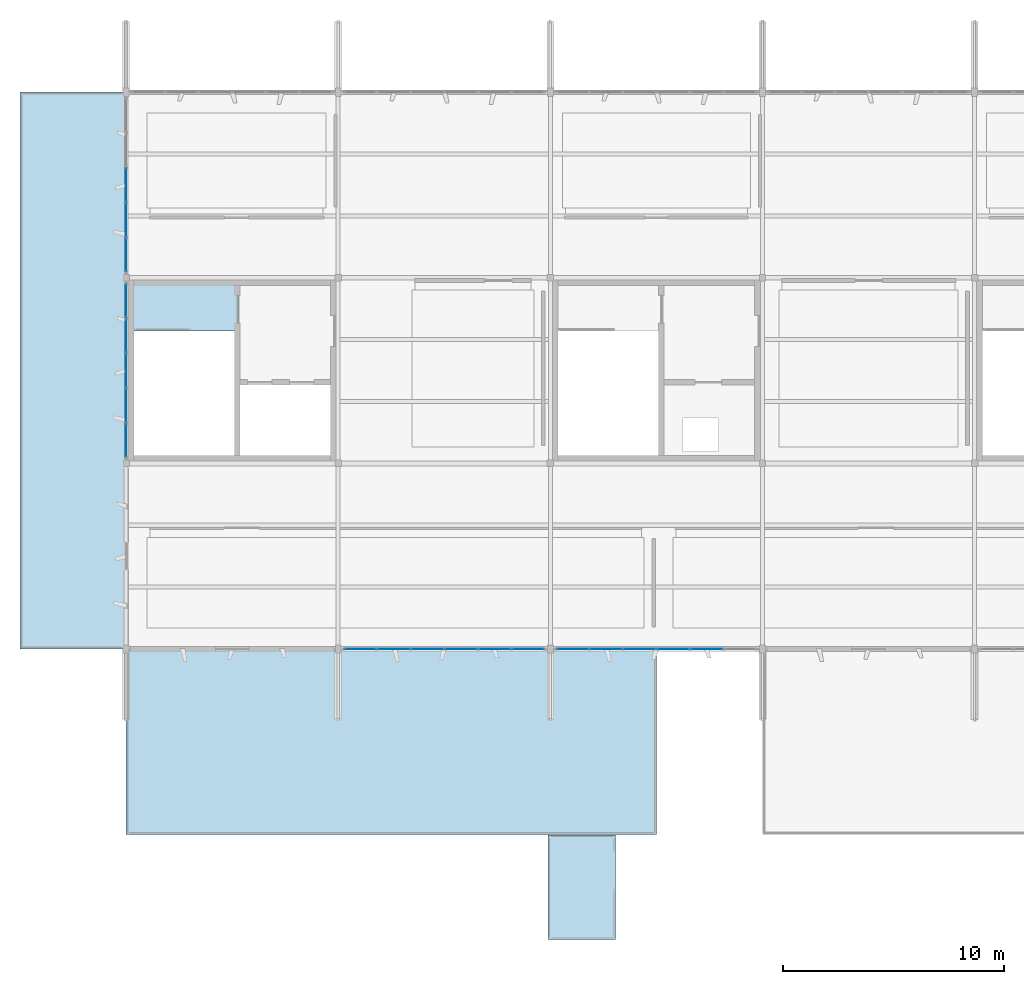
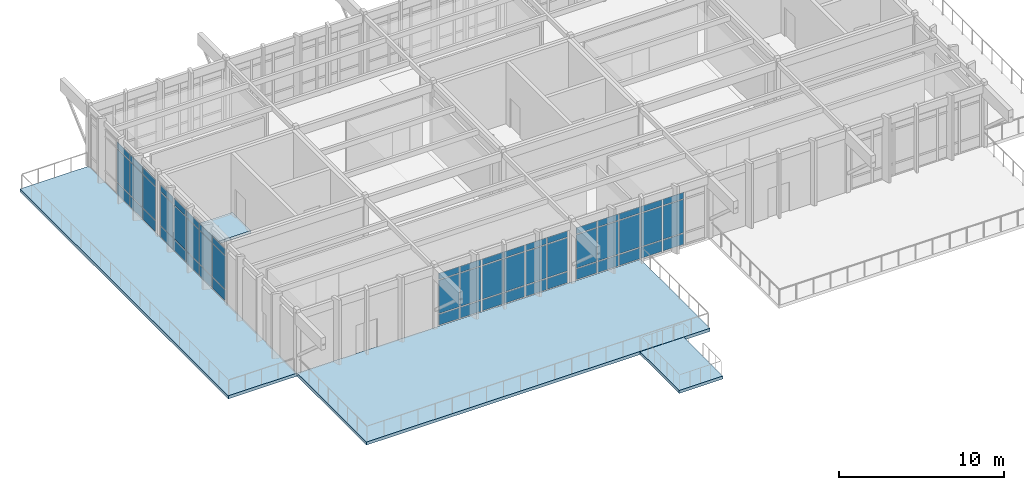
# One storey, part 12 of 19: 57 plates, 4 slabs, 4 elements without a shape of their own.
"""IFC4 building model written with IfcOpenShell, lengths in metres."""

from ifc_helpers import new_model, si_unit, direction, frame, origin, origin_2d, place, context, subcontext, project, spatial, polyline, rectangle, outline, extrude, material, layer, layer_set, type_object, element, aggregate, save


model = new_model("IFC4")

# Units and contexts
model_context = context("Model", 3, precision=1e-05, world=origin(), true_north=direction((0.0, 1.0)))
body_context = subcontext(model_context, "Body", "Model", "MODEL_VIEW")
ifc_project = project(units=[si_unit("LENGTHUNIT", "METRE"), si_unit("AREAUNIT", "SQUARE_METRE"), si_unit("VOLUMEUNIT", "CUBIC_METRE"), si_unit("PLANEANGLEUNIT", "RADIAN"), si_unit("MASSUNIT", "GRAM", prefix="KILO")], contexts=[model_context])

# Site, building, storey
site_placement = place(None, origin())
site = spatial("IfcSite", under=ifc_project, at=site_placement, CompositionType="ELEMENT")
building_placement = place(site_placement, origin())
building = spatial("IfcBuilding", under=site, at=building_placement, Name="Kolvemor Railside Polytechnic", CompositionType="ELEMENT")
storey_placement = place(building_placement, frame((0.0, 0.0, 27.0)))
storey = spatial("IfcBuildingStorey", under=building, at=storey_placement, Name="L06", CompositionType="ELEMENT", Elevation=27.0)

# Curtain wall, plates
ifc_material_1 = material(Name="Anodised marine aluminium and laminated low-E glass", Category="aluminium")
ifc_layer_1 = layer(ifc_material_1, 0.179931640625, Name="CW-STICK-LIB")
ifc_layer_set_1 = layer_set([ifc_layer_1], Name="Anodised marine aluminium and laminated low-E glass")
curtain_wall_type = type_object("IfcCurtainWallType", Name="CW-STICK-LIB", PredefinedType="USERDEFINED", material=ifc_layer_set_1)
curtain_wall_1_placement = place(storey_placement, origin())
curtain_wall_1 = element("IfcCurtainWall", 1, at=curtain_wall_1_placement, inside=storey, type_object=curtain_wall_type, Name="Curtain Wall L06-142", ObjectType="STICK GLAZED SCREEN", PredefinedType="USERDEFINED")
ifc_material_2 = material(Name="Hurricane-laminated solar-control low-E glass", Category="glass")
ifc_layer_2 = layer(ifc_material_2, 0.02587890625, Name="CWP-GLZ-03")
ifc_layer_set_2 = layer_set([ifc_layer_2], Name="Hurricane-laminated solar-control low-E glass")
plate_type_1 = type_object("IfcPlateType", Name="CWP-GLZ-03", PredefinedType="CURTAIN_PANEL", material=ifc_layer_set_2)
plate_1_placement = place(storey_placement, frame((77.816162109375, 13.199951171875, 0.06494140625), z_axis=(0.0, 0.0, 1.0), x_axis=(1.0, 0.0, 0.0)))
plate_1 = element("IfcPlate", 2, at=plate_1_placement, type_object=plate_type_1, Name="CW-LIB panel 1.1", PredefinedType="CURTAIN_PANEL", context=body_context, shape_type="SweptSolid", body=[
    extrude(rectangle(XDim=1.422607421875, YDim=0.02587890625, at=origin_2d()), origin(), (0.0, 0.0, 1.0), 0.802490234375),
])
plate_2_placement = place(storey_placement, frame((77.816162109375, 13.199951171875, 0.9326171875), z_axis=(0.0, 0.0, 1.0), x_axis=(1.0, 0.0, 0.0)))
plate_2 = element("IfcPlate", 3, at=plate_2_placement, type_object=plate_type_1, Name="CW-LIB panel 1.2", PredefinedType="CURTAIN_PANEL", context=body_context, shape_type="SweptSolid", body=[
    extrude(rectangle(XDim=1.422607421875, YDim=0.02587890625, at=origin_2d()), origin(), (0.0, 0.0, 1.0), 2.449951171875),
])
plate_3_placement = place(storey_placement, frame((77.816162109375, 13.199951171875, 3.44775390625), z_axis=(0.0, 0.0, 1.0), x_axis=(1.0, 0.0, 0.0)))
plate_3 = element("IfcPlate", 4, at=plate_3_placement, type_object=plate_type_1, Name="CW-LIB panel 1.3", PredefinedType="CURTAIN_PANEL", context=body_context, shape_type="SweptSolid", body=[
    extrude(rectangle(XDim=1.422607421875, YDim=0.02587890625, at=origin_2d()), origin(), (0.0, 0.0, 1.0), 0.452392578125),
])
plate_4_placement = place(storey_placement, frame((79.320068359375, 13.199951171875, 0.06494140625), z_axis=(0.0, 0.0, 1.0), x_axis=(1.0, 0.0, 0.0)))
plate_4 = element("IfcPlate", 5, at=plate_4_placement, type_object=plate_type_1, Name="CW-LIB panel 2.1", PredefinedType="CURTAIN_PANEL", context=body_context, shape_type="SweptSolid", body=[
    extrude(rectangle(XDim=1.455078125, YDim=0.02587890625, at=origin_2d()), origin(), (0.0, 0.0, 1.0), 0.802490234375),
])
plate_5_placement = place(storey_placement, frame((79.320068359375, 13.199951171875, 0.9326171875), z_axis=(0.0, 0.0, 1.0), x_axis=(1.0, 0.0, 0.0)))
plate_5 = element("IfcPlate", 6, at=plate_5_placement, type_object=plate_type_1, Name="CW-LIB panel 2.2", PredefinedType="CURTAIN_PANEL", context=body_context, shape_type="SweptSolid", body=[
    extrude(rectangle(XDim=1.455078125, YDim=0.02587890625, at=origin_2d()), origin(), (0.0, 0.0, 1.0), 2.449951171875),
])
plate_6_placement = place(storey_placement, frame((79.320068359375, 13.199951171875, 3.44775390625), z_axis=(0.0, 0.0, 1.0), x_axis=(1.0, 0.0, 0.0)))
plate_6 = element("IfcPlate", 7, at=plate_6_placement, type_object=plate_type_1, Name="CW-LIB panel 2.3", PredefinedType="CURTAIN_PANEL", context=body_context, shape_type="SweptSolid", body=[
    extrude(rectangle(XDim=1.455078125, YDim=0.02587890625, at=origin_2d()), origin(), (0.0, 0.0, 1.0), 0.452392578125),
])
plate_7_placement = place(storey_placement, frame((80.840087890625, 13.199951171875, 0.06494140625), z_axis=(0.0, 0.0, 1.0), x_axis=(1.0, 0.0, 0.0)))
plate_7 = element("IfcPlate", 8, at=plate_7_placement, type_object=plate_type_1, Name="CW-LIB panel 3.1", PredefinedType="CURTAIN_PANEL", context=body_context, shape_type="SweptSolid", body=[
    extrude(rectangle(XDim=1.455078125, YDim=0.02587890625, at=origin_2d()), origin(), (0.0, 0.0, 1.0), 0.802490234375),
])
plate_8_placement = place(storey_placement, frame((80.840087890625, 13.199951171875, 0.9326171875), z_axis=(0.0, 0.0, 1.0), x_axis=(1.0, 0.0, 0.0)))
plate_8 = element("IfcPlate", 9, at=plate_8_placement, type_object=plate_type_1, Name="CW-LIB panel 3.2", PredefinedType="CURTAIN_PANEL", context=body_context, shape_type="SweptSolid", body=[
    extrude(rectangle(XDim=1.455078125, YDim=0.02587890625, at=origin_2d()), origin(), (0.0, 0.0, 1.0), 2.449951171875),
])
plate_9_placement = place(storey_placement, frame((80.840087890625, 13.199951171875, 3.44775390625), z_axis=(0.0, 0.0, 1.0), x_axis=(1.0, 0.0, 0.0)))
plate_9 = element("IfcPlate", 10, at=plate_9_placement, type_object=plate_type_1, Name="CW-LIB panel 3.3", PredefinedType="CURTAIN_PANEL", context=body_context, shape_type="SweptSolid", body=[
    extrude(rectangle(XDim=1.455078125, YDim=0.02587890625, at=origin_2d()), origin(), (0.0, 0.0, 1.0), 0.452392578125),
])
plate_10_placement = place(storey_placement, frame((82.360107421875, 13.199951171875, 0.06494140625), z_axis=(0.0, 0.0, 1.0), x_axis=(1.0, 0.0, 0.0)))
plate_10 = element("IfcPlate", 11, at=plate_10_placement, type_object=plate_type_1, Name="CW-LIB panel 4.1", PredefinedType="CURTAIN_PANEL", context=body_context, shape_type="SweptSolid", body=[
    extrude(rectangle(XDim=1.455078125, YDim=0.02587890625, at=origin_2d()), origin(), (0.0, 0.0, 1.0), 0.802490234375),
])
plate_11_placement = place(storey_placement, frame((82.360107421875, 13.199951171875, 0.9326171875), z_axis=(0.0, 0.0, 1.0), x_axis=(1.0, 0.0, 0.0)))
plate_11 = element("IfcPlate", 12, at=plate_11_placement, type_object=plate_type_1, Name="CW-LIB panel 4.2", PredefinedType="CURTAIN_PANEL", context=body_context, shape_type="SweptSolid", body=[
    extrude(rectangle(XDim=1.455078125, YDim=0.02587890625, at=origin_2d()), origin(), (0.0, 0.0, 1.0), 2.449951171875),
])
plate_12_placement = place(storey_placement, frame((82.360107421875, 13.199951171875, 3.44775390625), z_axis=(0.0, 0.0, 1.0), x_axis=(1.0, 0.0, 0.0)))
plate_12 = element("IfcPlate", 13, at=plate_12_placement, type_object=plate_type_1, Name="CW-LIB panel 4.3", PredefinedType="CURTAIN_PANEL", context=body_context, shape_type="SweptSolid", body=[
    extrude(rectangle(XDim=1.455078125, YDim=0.02587890625, at=origin_2d()), origin(), (0.0, 0.0, 1.0), 0.452392578125),
])
plate_13_placement = place(storey_placement, frame((83.8798828125, 13.199951171875, 0.06494140625), z_axis=(0.0, 0.0, 1.0), x_axis=(1.0, 0.0, 0.0)))
plate_13 = element("IfcPlate", 14, at=plate_13_placement, type_object=plate_type_1, Name="CW-LIB panel 5.1", PredefinedType="CURTAIN_PANEL", context=body_context, shape_type="SweptSolid", body=[
    extrude(rectangle(XDim=1.455078125, YDim=0.02587890625, at=origin_2d()), origin(), (0.0, 0.0, 1.0), 0.802490234375),
])
plate_14_placement = place(storey_placement, frame((83.8798828125, 13.199951171875, 0.9326171875), z_axis=(0.0, 0.0, 1.0), x_axis=(1.0, 0.0, 0.0)))
plate_14 = element("IfcPlate", 15, at=plate_14_placement, type_object=plate_type_1, Name="CW-LIB panel 5.2", PredefinedType="CURTAIN_PANEL", context=body_context, shape_type="SweptSolid", body=[
    extrude(rectangle(XDim=1.455078125, YDim=0.02587890625, at=origin_2d()), origin(), (0.0, 0.0, 1.0), 2.449951171875),
])
plate_15_placement = place(storey_placement, frame((83.8798828125, 13.199951171875, 3.44775390625), z_axis=(0.0, 0.0, 1.0), x_axis=(1.0, 0.0, 0.0)))
plate_15 = element("IfcPlate", 16, at=plate_15_placement, type_object=plate_type_1, Name="CW-LIB panel 5.3", PredefinedType="CURTAIN_PANEL", context=body_context, shape_type="SweptSolid", body=[
    extrude(rectangle(XDim=1.455078125, YDim=0.02587890625, at=origin_2d()), origin(), (0.0, 0.0, 1.0), 0.452392578125),
])
plate_16_placement = place(storey_placement, frame((85.3837890625, 13.199951171875, 0.06494140625), z_axis=(0.0, 0.0, 1.0), x_axis=(1.0, 0.0, 0.0)))
plate_16 = element("IfcPlate", 17, at=plate_16_placement, type_object=plate_type_1, Name="CW-LIB panel 6.1", PredefinedType="CURTAIN_PANEL", context=body_context, shape_type="SweptSolid", body=[
    extrude(rectangle(XDim=1.422607421875, YDim=0.02587890625, at=origin_2d()), origin(), (0.0, 0.0, 1.0), 0.802490234375),
])
plate_17_placement = place(storey_placement, frame((85.3837890625, 13.199951171875, 0.9326171875), z_axis=(0.0, 0.0, 1.0), x_axis=(1.0, 0.0, 0.0)))
plate_17 = element("IfcPlate", 18, at=plate_17_placement, type_object=plate_type_1, Name="CW-LIB panel 6.2", PredefinedType="CURTAIN_PANEL", context=body_context, shape_type="SweptSolid", body=[
    extrude(rectangle(XDim=1.422607421875, YDim=0.02587890625, at=origin_2d()), origin(), (0.0, 0.0, 1.0), 2.449951171875),
])
plate_18_placement = place(storey_placement, frame((85.3837890625, 13.199951171875, 3.44775390625), z_axis=(0.0, 0.0, 1.0), x_axis=(1.0, 0.0, 0.0)))
plate_18 = element("IfcPlate", 19, at=plate_18_placement, type_object=plate_type_1, Name="CW-LIB panel 6.3", PredefinedType="CURTAIN_PANEL", context=body_context, shape_type="SweptSolid", body=[
    extrude(rectangle(XDim=1.422607421875, YDim=0.02587890625, at=origin_2d()), origin(), (0.0, 0.0, 1.0), 0.452392578125),
])
aggregate(curtain_wall_1, [plate_1, plate_2, plate_3, plate_4, plate_5, plate_6, plate_7, plate_8, plate_9, plate_10, plate_11, plate_12, plate_13, plate_14, plate_15, plate_16, plate_17, plate_18])

curtain_wall_2_placement = place(storey_placement, origin())
curtain_wall_2 = element("IfcCurtainWall", 20, at=curtain_wall_2_placement, inside=storey, type_object=curtain_wall_type, Name="Curtain Wall L06-144", ObjectType="STICK GLAZED SCREEN", PredefinedType="USERDEFINED")
ifc_material_3 = material(Name="Hurricane-laminated solar-control low-E glass", Category="glass")
ifc_layer_3 = layer(ifc_material_3, 0.028076171875, Name="CWP-GLZ-04")
ifc_layer_set_3 = layer_set([ifc_layer_3], Name="Hurricane-laminated solar-control low-E glass")
plate_type_2 = type_object("IfcPlateType", Name="CWP-GLZ-04", PredefinedType="CURTAIN_PANEL", material=ifc_layer_set_3)
plate_19_placement = place(storey_placement, frame((87.416259765625, 13.199951171875, 0.06494140625), z_axis=(0.0, 0.0, 1.0), x_axis=(1.0, 0.0, 0.0)))
plate_19 = element("IfcPlate", 21, at=plate_19_placement, type_object=plate_type_2, Name="CW-LIB panel 1.1", PredefinedType="CURTAIN_PANEL", context=body_context, shape_type="SweptSolid", body=[
    extrude(rectangle(XDim=1.422607421875, YDim=0.028076171875, at=origin_2d()), origin(), (0.0, 0.0, 1.0), 0.802490234375),
])
plate_20_placement = place(storey_placement, frame((87.416259765625, 13.199951171875, 0.9326171875), z_axis=(0.0, 0.0, 1.0), x_axis=(1.0, 0.0, 0.0)))
plate_20 = element("IfcPlate", 22, at=plate_20_placement, type_object=plate_type_2, Name="CW-LIB panel 1.2", PredefinedType="CURTAIN_PANEL", context=body_context, shape_type="SweptSolid", body=[
    extrude(rectangle(XDim=1.422607421875, YDim=0.028076171875, at=origin_2d()), origin(), (0.0, 0.0, 1.0), 2.449951171875),
])
plate_21_placement = place(storey_placement, frame((87.416259765625, 13.199951171875, 3.44775390625), z_axis=(0.0, 0.0, 1.0), x_axis=(1.0, 0.0, 0.0)))
plate_21 = element("IfcPlate", 23, at=plate_21_placement, type_object=plate_type_2, Name="CW-LIB panel 1.3", PredefinedType="CURTAIN_PANEL", context=body_context, shape_type="SweptSolid", body=[
    extrude(rectangle(XDim=1.422607421875, YDim=0.028076171875, at=origin_2d()), origin(), (0.0, 0.0, 1.0), 0.452392578125),
])
plate_22_placement = place(storey_placement, frame((88.919921875, 13.199951171875, 0.06494140625), z_axis=(0.0, 0.0, 1.0), x_axis=(1.0, 0.0, 0.0)))
plate_22 = element("IfcPlate", 24, at=plate_22_placement, type_object=plate_type_2, Name="CW-LIB panel 2.1", PredefinedType="CURTAIN_PANEL", context=body_context, shape_type="SweptSolid", body=[
    extrude(rectangle(XDim=1.455078125, YDim=0.028076171875, at=origin_2d()), origin(), (0.0, 0.0, 1.0), 0.802490234375),
])
plate_23_placement = place(storey_placement, frame((88.919921875, 13.199951171875, 0.9326171875), z_axis=(0.0, 0.0, 1.0), x_axis=(1.0, 0.0, 0.0)))
plate_23 = element("IfcPlate", 25, at=plate_23_placement, type_object=plate_type_2, Name="CW-LIB panel 2.2", PredefinedType="CURTAIN_PANEL", context=body_context, shape_type="SweptSolid", body=[
    extrude(rectangle(XDim=1.455078125, YDim=0.028076171875, at=origin_2d()), origin(), (0.0, 0.0, 1.0), 2.449951171875),
])
plate_24_placement = place(storey_placement, frame((88.919921875, 13.199951171875, 3.44775390625), z_axis=(0.0, 0.0, 1.0), x_axis=(1.0, 0.0, 0.0)))
plate_24 = element("IfcPlate", 26, at=plate_24_placement, type_object=plate_type_2, Name="CW-LIB panel 2.3", PredefinedType="CURTAIN_PANEL", context=body_context, shape_type="SweptSolid", body=[
    extrude(rectangle(XDim=1.455078125, YDim=0.028076171875, at=origin_2d()), origin(), (0.0, 0.0, 1.0), 0.452392578125),
])
plate_25_placement = place(storey_placement, frame((90.43994140625, 13.199951171875, 0.06494140625), z_axis=(0.0, 0.0, 1.0), x_axis=(1.0, 0.0, 0.0)))
plate_25 = element("IfcPlate", 27, at=plate_25_placement, type_object=plate_type_2, Name="CW-LIB panel 3.1", PredefinedType="CURTAIN_PANEL", context=body_context, shape_type="SweptSolid", body=[
    extrude(rectangle(XDim=1.455078125, YDim=0.028076171875, at=origin_2d()), origin(), (0.0, 0.0, 1.0), 0.802490234375),
])
plate_26_placement = place(storey_placement, frame((90.43994140625, 13.199951171875, 0.9326171875), z_axis=(0.0, 0.0, 1.0), x_axis=(1.0, 0.0, 0.0)))
plate_26 = element("IfcPlate", 28, at=plate_26_placement, type_object=plate_type_2, Name="CW-LIB panel 3.2", PredefinedType="CURTAIN_PANEL", context=body_context, shape_type="SweptSolid", body=[
    extrude(rectangle(XDim=1.455078125, YDim=0.028076171875, at=origin_2d()), origin(), (0.0, 0.0, 1.0), 2.449951171875),
])
plate_27_placement = place(storey_placement, frame((90.43994140625, 13.199951171875, 3.44775390625), z_axis=(0.0, 0.0, 1.0), x_axis=(1.0, 0.0, 0.0)))
plate_27 = element("IfcPlate", 29, at=plate_27_placement, type_object=plate_type_2, Name="CW-LIB panel 3.3", PredefinedType="CURTAIN_PANEL", context=body_context, shape_type="SweptSolid", body=[
    extrude(rectangle(XDim=1.455078125, YDim=0.028076171875, at=origin_2d()), origin(), (0.0, 0.0, 1.0), 0.452392578125),
])
plate_28_placement = place(storey_placement, frame((91.9599609375, 13.199951171875, 0.06494140625), z_axis=(0.0, 0.0, 1.0), x_axis=(1.0, 0.0, 0.0)))
plate_28 = element("IfcPlate", 30, at=plate_28_placement, type_object=plate_type_2, Name="CW-LIB panel 4.1", PredefinedType="CURTAIN_PANEL", context=body_context, shape_type="SweptSolid", body=[
    extrude(rectangle(XDim=1.455078125, YDim=0.028076171875, at=origin_2d()), origin(), (0.0, 0.0, 1.0), 0.802490234375),
])
plate_29_placement = place(storey_placement, frame((91.9599609375, 13.199951171875, 0.9326171875), z_axis=(0.0, 0.0, 1.0), x_axis=(1.0, 0.0, 0.0)))
plate_29 = element("IfcPlate", 31, at=plate_29_placement, type_object=plate_type_2, Name="CW-LIB panel 4.2", PredefinedType="CURTAIN_PANEL", context=body_context, shape_type="SweptSolid", body=[
    extrude(rectangle(XDim=1.455078125, YDim=0.028076171875, at=origin_2d()), origin(), (0.0, 0.0, 1.0), 2.449951171875),
])
plate_30_placement = place(storey_placement, frame((91.9599609375, 13.199951171875, 3.44775390625), z_axis=(0.0, 0.0, 1.0), x_axis=(1.0, 0.0, 0.0)))
plate_30 = element("IfcPlate", 32, at=plate_30_placement, type_object=plate_type_2, Name="CW-LIB panel 4.3", PredefinedType="CURTAIN_PANEL", context=body_context, shape_type="SweptSolid", body=[
    extrude(rectangle(XDim=1.455078125, YDim=0.028076171875, at=origin_2d()), origin(), (0.0, 0.0, 1.0), 0.452392578125),
])
plate_31_placement = place(storey_placement, frame((93.47998046875, 13.199951171875, 0.06494140625), z_axis=(0.0, 0.0, 1.0), x_axis=(1.0, 0.0, 0.0)))
plate_31 = element("IfcPlate", 33, at=plate_31_placement, type_object=plate_type_2, Name="CW-LIB panel 5.1", PredefinedType="CURTAIN_PANEL", context=body_context, shape_type="SweptSolid", body=[
    extrude(rectangle(XDim=1.455078125, YDim=0.028076171875, at=origin_2d()), origin(), (0.0, 0.0, 1.0), 0.802490234375),
])
plate_32_placement = place(storey_placement, frame((93.47998046875, 13.199951171875, 0.9326171875), z_axis=(0.0, 0.0, 1.0), x_axis=(1.0, 0.0, 0.0)))
plate_32 = element("IfcPlate", 34, at=plate_32_placement, type_object=plate_type_2, Name="CW-LIB panel 5.2", PredefinedType="CURTAIN_PANEL", context=body_context, shape_type="SweptSolid", body=[
    extrude(rectangle(XDim=1.455078125, YDim=0.028076171875, at=origin_2d()), origin(), (0.0, 0.0, 1.0), 2.449951171875),
])
plate_33_placement = place(storey_placement, frame((93.47998046875, 13.199951171875, 3.44775390625), z_axis=(0.0, 0.0, 1.0), x_axis=(1.0, 0.0, 0.0)))
plate_33 = element("IfcPlate", 35, at=plate_33_placement, type_object=plate_type_2, Name="CW-LIB panel 5.3", PredefinedType="CURTAIN_PANEL", context=body_context, shape_type="SweptSolid", body=[
    extrude(rectangle(XDim=1.455078125, YDim=0.028076171875, at=origin_2d()), origin(), (0.0, 0.0, 1.0), 0.452392578125),
])
aggregate(curtain_wall_2, [plate_19, plate_20, plate_21, plate_22, plate_23, plate_24, plate_25, plate_26, plate_27, plate_28, plate_29, plate_30, plate_31, plate_32, plate_33])

curtain_wall_3_placement = place(storey_placement, origin())
curtain_wall_3 = element("IfcCurtainWall", 36, at=curtain_wall_3_placement, inside=storey, type_object=curtain_wall_type, Name="Curtain Wall L06-149", ObjectType="STICK GLAZED SCREEN", PredefinedType="USERDEFINED")
ifc_material_4 = material(Name="Hurricane-laminated solar-control low-E glass", Category="glass")
ifc_layer_4 = layer(ifc_material_4, 0.030029296875, Name="CWP-GLZ-05")
ifc_layer_set_4 = layer_set([ifc_layer_4], Name="Hurricane-laminated solar-control low-E glass")
plate_type_3 = type_object("IfcPlateType", Name="CWP-GLZ-05", PredefinedType="CURTAIN_PANEL", material=ifc_layer_set_4)
plate_34_placement = place(storey_placement, frame((67.199951171875, 28.95166015625, 0.06494140625), z_axis=(0.0, 0.0, 1.0), x_axis=(0.0, -1.0, 0.0)))
plate_34 = element("IfcPlate", 37, at=plate_34_placement, type_object=plate_type_3, Name="CW-LIB panel 1.1", PredefinedType="CURTAIN_PANEL", context=body_context, shape_type="SweptSolid", body=[
    extrude(rectangle(XDim=1.486572265625, YDim=0.030029296875, at=origin_2d()), origin(), (0.0, 0.0, 1.0), 0.802490234375),
])
plate_35_placement = place(storey_placement, frame((67.199951171875, 28.95166015625, 0.9326171875), z_axis=(0.0, 0.0, 1.0), x_axis=(0.0, -1.0, 0.0)))
plate_35 = element("IfcPlate", 38, at=plate_35_placement, type_object=plate_type_3, Name="CW-LIB panel 1.2", PredefinedType="CURTAIN_PANEL", context=body_context, shape_type="SweptSolid", body=[
    extrude(rectangle(XDim=1.486572265625, YDim=0.030029296875, at=origin_2d()), origin(), (0.0, 0.0, 1.0), 2.449951171875),
])
plate_36_placement = place(storey_placement, frame((67.199951171875, 28.95166015625, 3.44775390625), z_axis=(0.0, 0.0, 1.0), x_axis=(0.0, -1.0, 0.0)))
plate_36 = element("IfcPlate", 39, at=plate_36_placement, type_object=plate_type_3, Name="CW-LIB panel 1.3", PredefinedType="CURTAIN_PANEL", context=body_context, shape_type="SweptSolid", body=[
    extrude(rectangle(XDim=1.486572265625, YDim=0.030029296875, at=origin_2d()), origin(), (0.0, 0.0, 1.0), 0.452392578125),
])
plate_37_placement = place(storey_placement, frame((67.199951171875, 27.384033203125, 0.06494140625), z_axis=(0.0, 0.0, 1.0), x_axis=(0.0, -1.0, 0.0)))
plate_37 = element("IfcPlate", 40, at=plate_37_placement, type_object=plate_type_3, Name="CW-LIB panel 2.1", PredefinedType="CURTAIN_PANEL", context=body_context, shape_type="SweptSolid", body=[
    extrude(rectangle(XDim=1.51904296875, YDim=0.030029296875, at=origin_2d()), origin(), (0.0, 0.0, 1.0), 0.802490234375),
])
plate_38_placement = place(storey_placement, frame((67.199951171875, 27.384033203125, 0.9326171875), z_axis=(0.0, 0.0, 1.0), x_axis=(0.0, -1.0, 0.0)))
plate_38 = element("IfcPlate", 41, at=plate_38_placement, type_object=plate_type_3, Name="CW-LIB panel 2.2", PredefinedType="CURTAIN_PANEL", context=body_context, shape_type="SweptSolid", body=[
    extrude(rectangle(XDim=1.51904296875, YDim=0.030029296875, at=origin_2d()), origin(), (0.0, 0.0, 1.0), 2.449951171875),
])
plate_39_placement = place(storey_placement, frame((67.199951171875, 27.384033203125, 3.44775390625), z_axis=(0.0, 0.0, 1.0), x_axis=(0.0, -1.0, 0.0)))
plate_39 = element("IfcPlate", 42, at=plate_39_placement, type_object=plate_type_3, Name="CW-LIB panel 2.3", PredefinedType="CURTAIN_PANEL", context=body_context, shape_type="SweptSolid", body=[
    extrude(rectangle(XDim=1.51904296875, YDim=0.030029296875, at=origin_2d()), origin(), (0.0, 0.0, 1.0), 0.452392578125),
])
plate_40_placement = place(storey_placement, frame((67.199951171875, 25.800048828125, 0.06494140625), z_axis=(0.0, 0.0, 1.0), x_axis=(0.0, -1.0, 0.0)))
plate_40 = element("IfcPlate", 43, at=plate_40_placement, type_object=plate_type_3, Name="CW-LIB panel 3.1", PredefinedType="CURTAIN_PANEL", context=body_context, shape_type="SweptSolid", body=[
    extrude(rectangle(XDim=1.51904296875, YDim=0.030029296875, at=origin_2d()), origin(), (0.0, 0.0, 1.0), 0.802490234375),
])
plate_41_placement = place(storey_placement, frame((67.199951171875, 25.800048828125, 0.9326171875), z_axis=(0.0, 0.0, 1.0), x_axis=(0.0, -1.0, 0.0)))
plate_41 = element("IfcPlate", 44, at=plate_41_placement, type_object=plate_type_3, Name="CW-LIB panel 3.2", PredefinedType="CURTAIN_PANEL", context=body_context, shape_type="SweptSolid", body=[
    extrude(rectangle(XDim=1.51904296875, YDim=0.030029296875, at=origin_2d()), origin(), (0.0, 0.0, 1.0), 2.449951171875),
])
plate_42_placement = place(storey_placement, frame((67.199951171875, 25.800048828125, 3.44775390625), z_axis=(0.0, 0.0, 1.0), x_axis=(0.0, -1.0, 0.0)))
plate_42 = element("IfcPlate", 45, at=plate_42_placement, type_object=plate_type_3, Name="CW-LIB panel 3.3", PredefinedType="CURTAIN_PANEL", context=body_context, shape_type="SweptSolid", body=[
    extrude(rectangle(XDim=1.51904296875, YDim=0.030029296875, at=origin_2d()), origin(), (0.0, 0.0, 1.0), 0.452392578125),
])
plate_43_placement = place(storey_placement, frame((67.199951171875, 24.216064453125, 0.06494140625), z_axis=(0.0, 0.0, 1.0), x_axis=(0.0, -1.0, 0.0)))
plate_43 = element("IfcPlate", 46, at=plate_43_placement, type_object=plate_type_3, Name="CW-LIB panel 4.1", PredefinedType="CURTAIN_PANEL", context=body_context, shape_type="SweptSolid", body=[
    extrude(rectangle(XDim=1.51904296875, YDim=0.030029296875, at=origin_2d()), origin(), (0.0, 0.0, 1.0), 0.802490234375),
])
plate_44_placement = place(storey_placement, frame((67.199951171875, 24.216064453125, 0.9326171875), z_axis=(0.0, 0.0, 1.0), x_axis=(0.0, -1.0, 0.0)))
plate_44 = element("IfcPlate", 47, at=plate_44_placement, type_object=plate_type_3, Name="CW-LIB panel 4.2", PredefinedType="CURTAIN_PANEL", context=body_context, shape_type="SweptSolid", body=[
    extrude(rectangle(XDim=1.51904296875, YDim=0.030029296875, at=origin_2d()), origin(), (0.0, 0.0, 1.0), 2.449951171875),
])
plate_45_placement = place(storey_placement, frame((67.199951171875, 24.216064453125, 3.44775390625), z_axis=(0.0, 0.0, 1.0), x_axis=(0.0, -1.0, 0.0)))
plate_45 = element("IfcPlate", 48, at=plate_45_placement, type_object=plate_type_3, Name="CW-LIB panel 4.3", PredefinedType="CURTAIN_PANEL", context=body_context, shape_type="SweptSolid", body=[
    extrude(rectangle(XDim=1.51904296875, YDim=0.030029296875, at=origin_2d()), origin(), (0.0, 0.0, 1.0), 0.452392578125),
])
plate_46_placement = place(storey_placement, frame((67.199951171875, 22.648193359375, 0.06494140625), z_axis=(0.0, 0.0, 1.0), x_axis=(0.0, -1.0, 0.0)))
plate_46 = element("IfcPlate", 49, at=plate_46_placement, type_object=plate_type_3, Name="CW-LIB panel 5.1", PredefinedType="CURTAIN_PANEL", context=body_context, shape_type="SweptSolid", body=[
    extrude(rectangle(XDim=1.486572265625, YDim=0.030029296875, at=origin_2d()), origin(), (0.0, 0.0, 1.0), 0.802490234375),
])
plate_47_placement = place(storey_placement, frame((67.199951171875, 22.648193359375, 0.9326171875), z_axis=(0.0, 0.0, 1.0), x_axis=(0.0, -1.0, 0.0)))
plate_47 = element("IfcPlate", 50, at=plate_47_placement, type_object=plate_type_3, Name="CW-LIB panel 5.2", PredefinedType="CURTAIN_PANEL", context=body_context, shape_type="SweptSolid", body=[
    extrude(rectangle(XDim=1.486572265625, YDim=0.030029296875, at=origin_2d()), origin(), (0.0, 0.0, 1.0), 2.449951171875),
])
plate_48_placement = place(storey_placement, frame((67.199951171875, 22.648193359375, 3.44775390625), z_axis=(0.0, 0.0, 1.0), x_axis=(0.0, -1.0, 0.0)))
plate_48 = element("IfcPlate", 51, at=plate_48_placement, type_object=plate_type_3, Name="CW-LIB panel 5.3", PredefinedType="CURTAIN_PANEL", context=body_context, shape_type="SweptSolid", body=[
    extrude(rectangle(XDim=1.486572265625, YDim=0.030029296875, at=origin_2d()), origin(), (0.0, 0.0, 1.0), 0.452392578125),
])
aggregate(curtain_wall_3, [plate_34, plate_35, plate_36, plate_37, plate_38, plate_39, plate_40, plate_41, plate_42, plate_43, plate_44, plate_45, plate_46, plate_47, plate_48])

curtain_wall_4_placement = place(storey_placement, origin())
curtain_wall_4 = element("IfcCurtainWall", 52, at=curtain_wall_4_placement, inside=storey, type_object=curtain_wall_type, Name="Curtain Wall L06-151", ObjectType="STICK GLAZED SCREEN", PredefinedType="USERDEFINED")
ifc_material_5 = material(Name="Hurricane-laminated solar-control low-E glass", Category="glass")
ifc_layer_5 = layer(ifc_material_5, 0.031982421875, Name="CWP-GLZ-06")
ifc_layer_set_5 = layer_set([ifc_layer_5], Name="Hurricane-laminated solar-control low-E glass")
plate_type_4 = type_object("IfcPlateType", Name="CWP-GLZ-06", PredefinedType="CURTAIN_PANEL", material=ifc_layer_set_5)
plate_49_placement = place(storey_placement, frame((67.199951171875, 34.199951171875, 0.06494140625), z_axis=(0.0, 0.0, 1.0), x_axis=(0.0, -1.0, 0.0)))
plate_49 = element("IfcPlate", 53, at=plate_49_placement, type_object=plate_type_4, Name="CW-LIB panel 3.1", PredefinedType="CURTAIN_PANEL", context=body_context, shape_type="SweptSolid", body=[
    extrude(rectangle(XDim=1.51904296875, YDim=0.031982421875, at=origin_2d()), origin(), (0.0, 0.0, 1.0), 0.802490234375),
])
plate_50_placement = place(storey_placement, frame((67.199951171875, 34.199951171875, 0.9326171875), z_axis=(0.0, 0.0, 1.0), x_axis=(0.0, -1.0, 0.0)))
plate_50 = element("IfcPlate", 54, at=plate_50_placement, type_object=plate_type_4, Name="CW-LIB panel 3.2", PredefinedType="CURTAIN_PANEL", context=body_context, shape_type="SweptSolid", body=[
    extrude(rectangle(XDim=1.51904296875, YDim=0.031982421875, at=origin_2d()), origin(), (0.0, 0.0, 1.0), 2.449951171875),
])
plate_51_placement = place(storey_placement, frame((67.199951171875, 34.199951171875, 3.44775390625), z_axis=(0.0, 0.0, 1.0), x_axis=(0.0, -1.0, 0.0)))
plate_51 = element("IfcPlate", 55, at=plate_51_placement, type_object=plate_type_4, Name="CW-LIB panel 3.3", PredefinedType="CURTAIN_PANEL", context=body_context, shape_type="SweptSolid", body=[
    extrude(rectangle(XDim=1.51904296875, YDim=0.031982421875, at=origin_2d()), origin(), (0.0, 0.0, 1.0), 0.452392578125),
])
plate_52_placement = place(storey_placement, frame((67.199951171875, 32.615966796875, 0.06494140625), z_axis=(0.0, 0.0, 1.0), x_axis=(0.0, -1.0, 0.0)))
plate_52 = element("IfcPlate", 56, at=plate_52_placement, type_object=plate_type_4, Name="CW-LIB panel 4.1", PredefinedType="CURTAIN_PANEL", context=body_context, shape_type="SweptSolid", body=[
    extrude(rectangle(XDim=1.51904296875, YDim=0.031982421875, at=origin_2d()), origin(), (0.0, 0.0, 1.0), 0.802490234375),
])
plate_53_placement = place(storey_placement, frame((67.199951171875, 32.615966796875, 0.9326171875), z_axis=(0.0, 0.0, 1.0), x_axis=(0.0, -1.0, 0.0)))
plate_53 = element("IfcPlate", 57, at=plate_53_placement, type_object=plate_type_4, Name="CW-LIB panel 4.2", PredefinedType="CURTAIN_PANEL", context=body_context, shape_type="SweptSolid", body=[
    extrude(rectangle(XDim=1.51904296875, YDim=0.031982421875, at=origin_2d()), origin(), (0.0, 0.0, 1.0), 2.449951171875),
])
plate_54_placement = place(storey_placement, frame((67.199951171875, 32.615966796875, 3.44775390625), z_axis=(0.0, 0.0, 1.0), x_axis=(0.0, -1.0, 0.0)))
plate_54 = element("IfcPlate", 58, at=plate_54_placement, type_object=plate_type_4, Name="CW-LIB panel 4.3", PredefinedType="CURTAIN_PANEL", context=body_context, shape_type="SweptSolid", body=[
    extrude(rectangle(XDim=1.51904296875, YDim=0.031982421875, at=origin_2d()), origin(), (0.0, 0.0, 1.0), 0.452392578125),
])
plate_55_placement = place(storey_placement, frame((67.199951171875, 31.04833984375, 0.06494140625), z_axis=(0.0, 0.0, 1.0), x_axis=(0.0, -1.0, 0.0)))
plate_55 = element("IfcPlate", 59, at=plate_55_placement, type_object=plate_type_4, Name="CW-LIB panel 5.1", PredefinedType="CURTAIN_PANEL", context=body_context, shape_type="SweptSolid", body=[
    extrude(rectangle(XDim=1.486572265625, YDim=0.031982421875, at=origin_2d()), origin(), (0.0, 0.0, 1.0), 0.802490234375),
])
plate_56_placement = place(storey_placement, frame((67.199951171875, 31.04833984375, 0.9326171875), z_axis=(0.0, 0.0, 1.0), x_axis=(0.0, -1.0, 0.0)))
plate_56 = element("IfcPlate", 60, at=plate_56_placement, type_object=plate_type_4, Name="CW-LIB panel 5.2", PredefinedType="CURTAIN_PANEL", context=body_context, shape_type="SweptSolid", body=[
    extrude(rectangle(XDim=1.486572265625, YDim=0.031982421875, at=origin_2d()), origin(), (0.0, 0.0, 1.0), 2.449951171875),
])
plate_57_placement = place(storey_placement, frame((67.199951171875, 31.04833984375, 3.44775390625), z_axis=(0.0, 0.0, 1.0), x_axis=(0.0, -1.0, 0.0)))
plate_57 = element("IfcPlate", 61, at=plate_57_placement, type_object=plate_type_4, Name="CW-LIB panel 5.3", PredefinedType="CURTAIN_PANEL", context=body_context, shape_type="SweptSolid", body=[
    extrude(rectangle(XDim=1.486572265625, YDim=0.031982421875, at=origin_2d()), origin(), (0.0, 0.0, 1.0), 0.452392578125),
])
aggregate(curtain_wall_4, [plate_49, plate_50, plate_51, plate_52, plate_53, plate_54, plate_55, plate_56, plate_57])

# Slabs
ifc_material_6 = material(Name="Concrete C40/50", Category="concrete")
ifc_layer_6 = layer(ifc_material_6, 0.219970703125, Name="SLB-LND-170")
ifc_layer_set_6 = layer_set([ifc_layer_6], Name="Concrete C40/50")
slab_type_1 = type_object("IfcSlabType", Name="SLB-LND-170", PredefinedType="LANDING", material=ifc_layer_set_6)
slab_1_placement = place(storey_placement, frame((0.0, 0.0, -0.219970703125)))
element("IfcSlab", 62, at=slab_1_placement, inside=storey, type_object=slab_type_1, Name="External Zigzag Stair Arrival Landing L06", PredefinedType="LANDING", context=body_context, shape_type="SweptSolid", body=[
    extrude(outline(polyline([(86.300048828125, 0.050048828125), (89.35009765625, 0.050048828125), (89.35009765625, 4.780029296875), (86.300048828125, 4.780029296875), (86.300048828125, 0.050048828125)])), origin(), (0.0, 0.0, 1.0), 0.219970703125),
])
ifc_material_7 = material(Name="Concrete C40/50", Category="concrete")
ifc_layer_7 = layer(ifc_material_7, 0.199951171875, Name="SLB-LND-200")
ifc_layer_set_7 = layer_set([ifc_layer_7], Name="Concrete C40/50")
slab_type_2 = type_object("IfcSlabType", Name="SLB-LND-200", PredefinedType="LANDING", material=ifc_layer_set_7)
slab_2_placement = place(storey_placement, frame((0.0, 0.0, -0.199951171875)))
element("IfcSlab", 63, at=slab_2_placement, inside=storey, type_object=slab_type_2, Name="ST-1 Floor Landing L06", PredefinedType="LANDING", context=body_context, shape_type="SweptSolid", body=[
    extrude(outline(polyline([(67.360107421875, 27.60009765625), (72.2900390625, 27.60009765625), (72.2900390625, 29.840087890625), (67.360107421875, 29.840087890625), (67.360107421875, 27.60009765625)])), origin(), (0.0, 0.0, 1.0), 0.199951171875),
])
ifc_material_8 = material(Name="Cross-laminated timber CLT E1", Category="wood")
ifc_layer_8 = layer(ifc_material_8, 0.22998046875, Name="SLB-TER-230")
ifc_layer_set_8 = layer_set([ifc_layer_8], Name="Cross-laminated timber CLT E1")
slab_type_3 = type_object("IfcSlabType", Name="SLB-TER-230", PredefinedType="FLOOR", material=ifc_layer_set_8)
slab_3_placement = place(storey_placement, frame((0.0, 0.0, -0.22998046875)))
element("IfcSlab", 64, at=slab_3_placement, inside=storey, type_object=slab_type_3, Name="Corner Study Terrace L06-S L06-103", PredefinedType="FLOOR", context=body_context, shape_type="SweptSolid", body=[
    extrude(outline(polyline([(67.199951171875, 4.800048828125), (91.199951171875, 4.800048828125), (91.199951171875, 13.199951171875), (67.199951171875, 13.199951171875), (67.199951171875, 4.800048828125)])), origin(), (0.0, 0.0, 1.0), 0.22998046875),
])
slab_4_placement = place(storey_placement, frame((0.0, 0.0, -0.22998046875)))
element("IfcSlab", 65, at=slab_4_placement, inside=storey, type_object=slab_type_3, Name="Corner Study Terrace L06-W L06-105", PredefinedType="FLOOR", context=body_context, shape_type="SweptSolid", body=[
    extrude(outline(polyline([(62.39990234375, 13.199951171875), (67.199951171875, 13.199951171875), (67.199951171875, 38.39990234375), (62.39990234375, 38.39990234375), (62.39990234375, 13.199951171875)])), origin(), (0.0, 0.0, 1.0), 0.22998046875),
])

save(model, "model.ifc")
